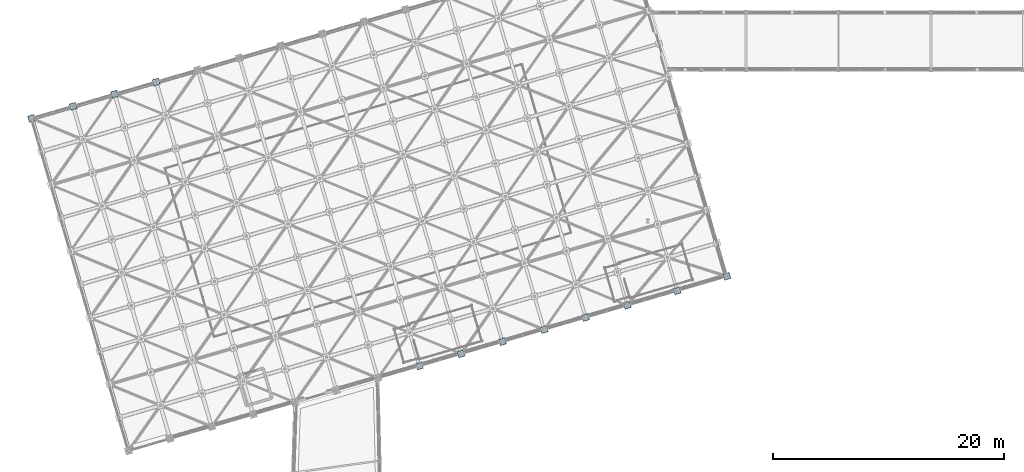
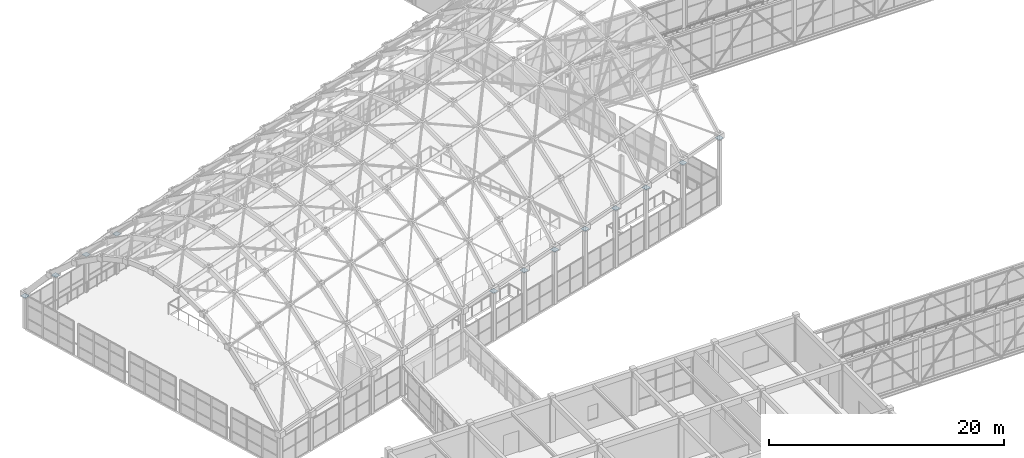
# One storey, part 215 of 248: 12 plates.
"""IFC4 building model written with IfcOpenShell, lengths in metres."""

from ifc_helpers import new_model, si_unit, direction, frame, origin, origin_2d, place, context, subcontext, project, spatial, rectangle, extrude, material, layer, layer_set, type_object, element, save


model = new_model("IFC4")

# Units and contexts
model_context = context("Model", 3, precision=1e-05, world=origin(), true_north=direction((0.0, 1.0)))
body_context = subcontext(model_context, "Body", "Model", "MODEL_VIEW")
ifc_project = project(units=[si_unit("LENGTHUNIT", "METRE"), si_unit("AREAUNIT", "SQUARE_METRE"), si_unit("VOLUMEUNIT", "CUBIC_METRE"), si_unit("PLANEANGLEUNIT", "RADIAN"), si_unit("MASSUNIT", "GRAM", prefix="KILO")], contexts=[model_context])

# Site, building, storey
site_placement = place(None, origin())
site = spatial("IfcSite", under=ifc_project, at=site_placement, CompositionType="ELEMENT")
building_placement = place(site_placement, origin())
building = spatial("IfcBuilding", under=site, at=building_placement, Name="Canggui Botanical Conservatory", CompositionType="ELEMENT")
storey_placement = place(building_placement, frame((0.0, 0.0, 5.39990234375)))
storey = spatial("IfcBuildingStorey", under=building, at=storey_placement, Name="L02", CompositionType="ELEMENT", Elevation=5.39990234375)

# Plates
ifc_material = material(Name="Steel Q355C", Category="steel")
ifc_layer = layer(ifc_material, 0.02392578125, Name="Steel Q355C", Category="steel")
ifc_layer_set = layer_set([ifc_layer], Name="Steel Q355C")
plate_type = type_object("IfcPlateType", Name="PLT-GUSSET-24", PredefinedType="USERDEFINED", material=ifc_layer_set)
for number, where, z_axis, x_axis, name in (
    (1, (11.60009765625, 70.800048828125, 3.328125), (0.0, 0.0, 1.0), (0.960000000041, 0.279999999861, 0.0), "Gridshell Arch Base Gusset Plate GS-N011"),
    (2, (15.199951171875, 71.85009765625, 3.578125), (0.0, 0.0, 1.0), (0.960000000041, 0.279999999861, 0.0), "Gridshell Arch Base Gusset Plate GS-N022"),
    (3, (18.800048828125, 72.89990234375, 3.828125), (0.0, 0.0, 1.0), (0.960000000041, 0.279999999861, 0.0), "Gridshell Arch Base Gusset Plate GS-N033"),
    (4, (22.39990234375, 73.949951171875, 4.078125), (0.0, 0.0, 1.0), (0.960000000041, 0.279999999861, 0.0), "Gridshell Arch Base Gusset Plate GS-N044"),
    (5, (45.199951171875, 49.35009765625, 5.078125), (0.0, 0.0, 1.0), (0.960000000041, 0.279999999861, 0.0), "Gridshell Arch Base Gusset Plate GS-N078"),
    (6, (48.800048828125, 50.39990234375, 5.328125), (0.0, 0.0, 1.0), (0.960000000041, 0.279999999861, 0.0), "Gridshell Arch Base Gusset Plate GS-N089"),
    (7, (52.39990234375, 51.449951171875, 5.578125), (0.0, 0.0, 1.0), (0.960000000041, 0.279999999861, 0.0), "Gridshell Arch Base Gusset Plate GS-N100"),
    (8, (56.0, 52.5, 5.828125), (0.0, 0.0, 1.0), (0.960000000041, 0.279999999861, 0.0), "Gridshell Arch Base Gusset Plate GS-N111"),
    (9, (59.60009765625, 53.550048828125, 6.078125), (0.0, 0.0, 1.0), (0.960000000041, 0.279999999861, 0.0), "Gridshell Arch Base Gusset Plate GS-N122"),
    (10, (63.199951171875, 54.60009765625, 6.328125), (0.0, 0.0, 1.0), (0.960000000041, 0.279999999861, 0.0), "Gridshell Arch Base Gusset Plate GS-N133"),
    (11, (67.52001953125, 55.860107421875, 6.628173828125), (0.0, 0.0, 1.0), (0.960000000041, 0.279999999861, 0.0), "Gridshell Arch Base Gusset Plate GS-N144"),
    (12, (71.840087890625, 57.1201171875, 6.92822265625), (0.0, 0.0, 1.0), (0.960000000041, 0.279999999861, 0.0), "Gridshell Arch Base Gusset Plate GS-N155"),
):
    element("IfcPlate", number, at=place(storey_placement, frame(where, z_axis=z_axis, x_axis=x_axis)), inside=storey, type_object=plate_type, Name=name, ObjectType="GUSSET PLATE", PredefinedType="USERDEFINED", context=body_context, shape_type="SweptSolid", body=[
        extrude(rectangle(XDim=0.52001953125, YDim=0.52001953125, at=origin_2d()), origin(), (0.0, 0.0, 1.0), 0.02392578125),
    ])

save(model, "model.ifc")
